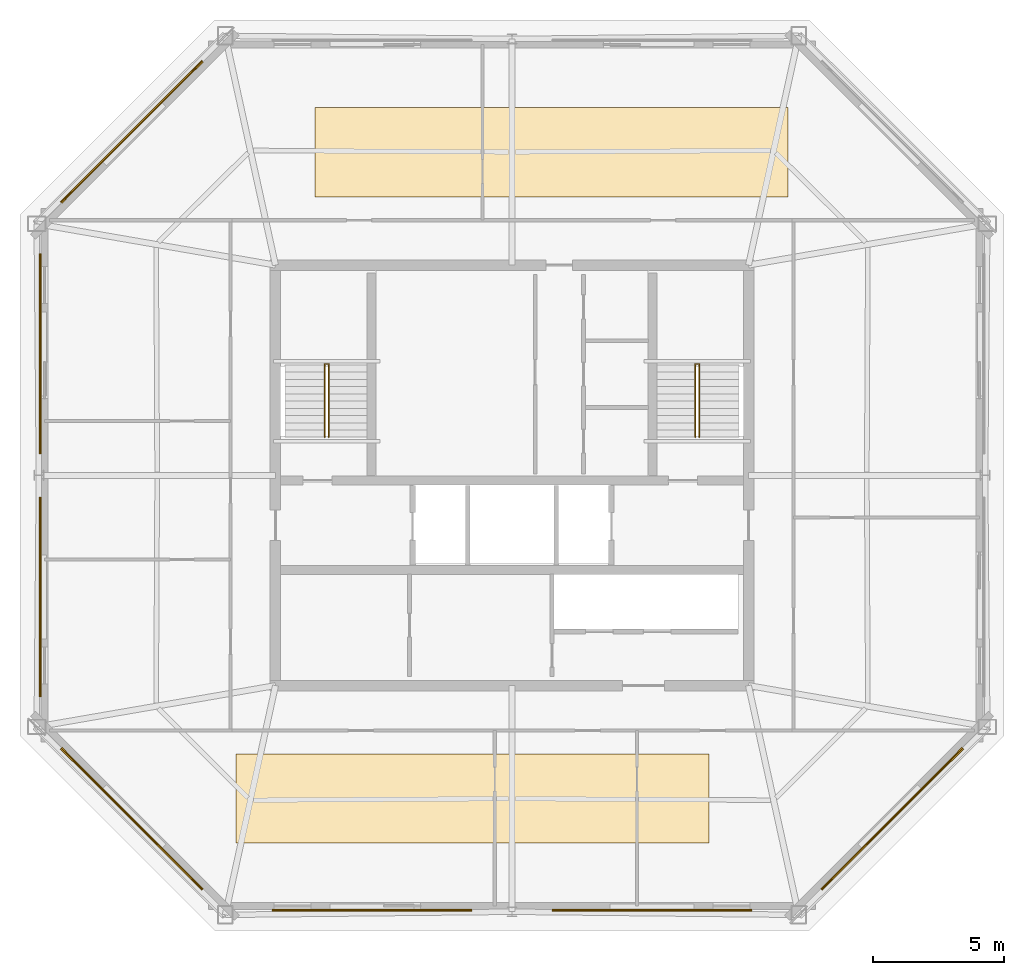
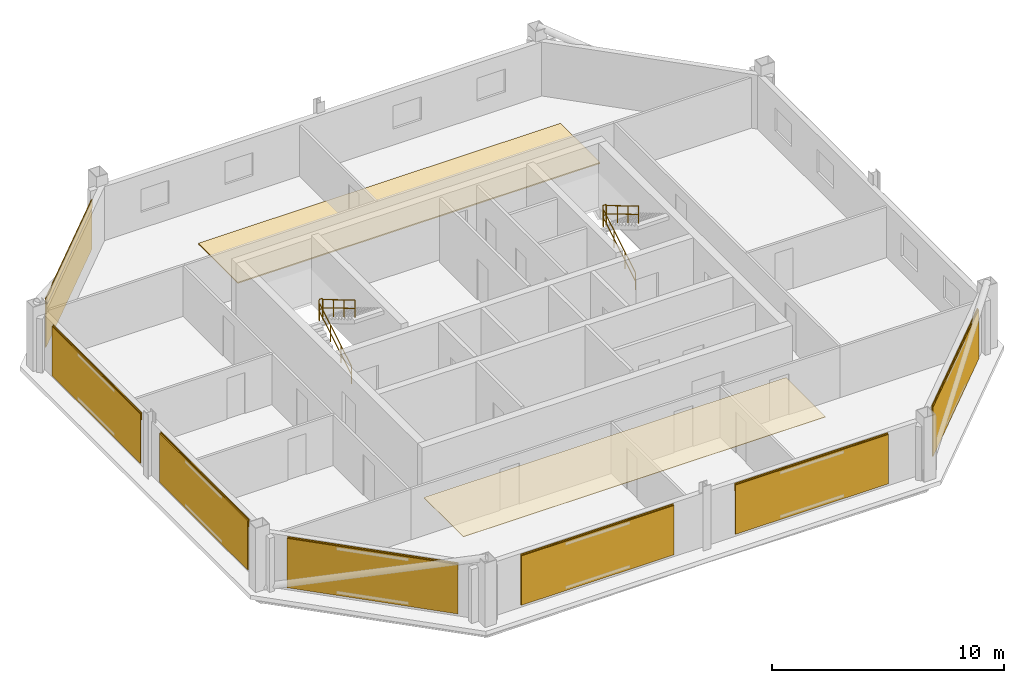
# One storey, part 5 of 6: 9 coverings, 7 shading devices, 6 railings.
"""IFC4 building model written with IfcOpenShell, lengths in metres."""

from ifc_helpers import new_model, si_unit, direction, frame, origin, origin_2d, place, context, subcontext, project, spatial, polyline, rectangle, circle, outline, extrude, material, layer, layer_set, type_object, element, save


model = new_model("IFC4")

# Units and contexts
model_context = context("Model", 3, precision=1e-05, world=origin(), true_north=direction((0.0, 1.0)))
body_context = subcontext(model_context, "Body", "Model", "MODEL_VIEW")
ifc_project = project(units=[si_unit("LENGTHUNIT", "METRE"), si_unit("AREAUNIT", "SQUARE_METRE"), si_unit("VOLUMEUNIT", "CUBIC_METRE"), si_unit("PLANEANGLEUNIT", "RADIAN"), si_unit("MASSUNIT", "GRAM", prefix="KILO")], contexts=[model_context])

# Site, building, storey
site_placement = place(None, origin())
site = spatial("IfcSite", under=ifc_project, at=site_placement, CompositionType="ELEMENT")
building_placement = place(site_placement, origin())
building = spatial("IfcBuilding", under=site, at=building_placement, Name="Caelvoria Tower", CompositionType="ELEMENT")
storey_placement = place(building_placement, frame((0.0, 0.0, 264.60009765625)))
storey = spatial("IfcBuildingStorey", under=building, at=storey_placement, Name="L70", CompositionType="ELEMENT", Elevation=264.60009765625)

# Coverings
ifc_material_1 = material(Name="Acoustic Mineral Fibre Tile", Category="gypsum")
ifc_layer_1 = layer(ifc_material_1, 0.02490234375, Name="Acoustic Mineral Fibre Tile")
ifc_layer_set_1 = layer_set([ifc_layer_1], Name="Mineral-Fibre Acoustic Suspended Ceiling 25 - Acoustic Mineral Fibre Tile")
covering_type_1 = type_object("IfcCoveringType", Name="Mineral-Fibre Acoustic Suspended Ceiling 25", PredefinedType="CEILING", material=ifc_layer_set_1)
covering_1_placement = place(storey_placement, frame((0.0, 0.0, 2.64990234375)))
element("IfcCovering", 1, at=covering_1_placement, inside=storey, type_object=covering_type_1, Name="Suspended Acoustic Ceiling L70", PredefinedType="CEILING", context=body_context, shape_type="SweptSolid", body=[
    extrude(outline(polyline([(35.5, 18.0), (53.5, 18.0), (53.5, 21.39990234375), (35.5, 21.39990234375), (35.5, 18.0)])), origin(), (0.0, 0.0, 1.0), 0.02490234375),
])
ifc_material_2 = material(Name="Perforated Architectural Bronze Cladding Screen", Category="bronze")
ifc_layer_2 = layer(ifc_material_2, 0.0400390625, Name="Perforated Architectural Bronze Cladding Screen")
ifc_layer_set_2 = layer_set([ifc_layer_2], Name="Perforated Bronze Louvre Cladding Band 40 - Perforated Architectural Bronze Cladding Screen")
covering_type_2 = type_object("IfcCoveringType", Name="Perforated Bronze Louvre Cladding Band 40", PredefinedType="CLADDING", material=ifc_layer_set_2)
for number, where, z_axis, x_axis, name in (
    (2, (40.677734375, 15.46826171875, 2.411865234375), (0.0, 0.0, 1.0), (1.0, 0.0, 0.0), "Perforated Bronze Screen Band L70-E0-00"),
    (3, (51.322265625, 15.46826171875, 2.411865234375), (0.0, 0.0, 1.0), (1.0, 0.0, 0.0), "Perforated Bronze Screen Band L70-E0-01"),
    (4, (60.451171875, 18.9443359375, 2.411865234375), (0.0, 0.0, 1.0), (0.707106781187, 0.707106781187, 0.0), "Perforated Bronze Screen Band L70-E1-00"),
    (5, (31.548828125, 45.0556640625, 2.411865234375), (0.0, 0.0, 1.0), (-0.707106781187, -0.707106781187, 0.0), "Perforated Bronze Screen Band L70-E5-00"),
    (6, (28.07275390625, 36.62451171875, 2.411865234375), (0.0, 0.0, 1.0), (0.0, -1.0, 0.0), "Perforated Bronze Screen Band L70-E6-00"),
    (7, (28.07275390625, 27.37548828125, 2.411865234375), (0.0, 0.0, 1.0), (0.0, -1.0, 0.0), "Perforated Bronze Screen Band L70-E6-01"),
    (8, (31.548828125, 18.9443359375, 2.411865234375), (0.0, 0.0, 1.0), (0.707106781187, -0.707106781187, 0.0), "Perforated Bronze Screen Band L70-E7-00"),
):
    element("IfcCovering", number, at=place(storey_placement, frame(where, z_axis=z_axis, x_axis=x_axis)), inside=storey, type_object=covering_type_2, Name=name, PredefinedType="CLADDING", context=body_context, shape_type="SweptSolid", body=[
        extrude(rectangle(XDim=7.60009765625, YDim=0.0400390625, at=origin_2d()), origin(), (0.0, 0.0, 1.0), 0.39990234375),
    ])

# Shading devices
ifc_material_3 = material(Name="Perforated Architectural Bronze Alloy Panel", Category="bronze")
ifc_layer_3 = layer(ifc_material_3, 0.044921875, Name="Perforated Architectural Bronze Alloy Panel")
ifc_layer_set_3 = layer_set([ifc_layer_3], Name="Perforated Bronze Solar Screen Panel SCREEN - Perforated Architectural Bronze Alloy Panel")
shading_device_type = type_object("IfcShadingDeviceType", Name="Perforated Bronze Solar Screen Panel SCREEN", PredefinedType="USERDEFINED", material=ifc_layer_set_3)
for number, where, z_axis, x_axis, name in (
    (9, (40.677734375, 15.42529296875, 0.15966796875), (0.0, 0.0, 1.0), (1.0, 0.0, 0.0), "Perforated Bronze Solar Screen L70-E0-00"),
    (10, (51.322265625, 15.42529296875, 0.15966796875), (0.0, 0.0, 1.0), (1.0, 0.0, 0.0), "Perforated Bronze Solar Screen L70-E0-01"),
    (11, (60.4814453125, 18.913818359375, 0.15966796875), (0.0, 0.0, 1.0), (0.707106781187, 0.707106781187, 0.0), "Perforated Bronze Solar Screen L70-E1-00"),
    (12, (31.5185546875, 45.086181640625, 0.15966796875), (0.0, 0.0, 1.0), (-0.707106781187, -0.707106781187, 0.0), "Perforated Bronze Solar Screen L70-E5-00"),
    (13, (28.02978515625, 36.62451171875, 0.15966796875), (0.0, 0.0, 1.0), (0.0, -1.0, 0.0), "Perforated Bronze Solar Screen L70-E6-00"),
    (14, (28.02978515625, 27.37548828125, 0.15966796875), (0.0, 0.0, 1.0), (0.0, -1.0, 0.0), "Perforated Bronze Solar Screen L70-E6-01"),
    (15, (31.5185546875, 18.913818359375, 0.15966796875), (0.0, 0.0, 1.0), (0.707106781187, -0.707106781187, 0.0), "Perforated Bronze Solar Screen L70-E7-00"),
):
    element("IfcShadingDevice", number, at=place(storey_placement, frame(where, z_axis=z_axis, x_axis=x_axis)), inside=storey, type_object=shading_device_type, Name=name, ObjectType="SCREEN", PredefinedType="USERDEFINED", context=body_context, shape_type="SweptSolid", body=[
        extrude(rectangle(XDim=7.60009765625, YDim=0.044921875, at=origin_2d()), origin(), (0.0, 0.0, 1.0), 2.592041015625),
    ])

# Covering
ifc_material_4 = material(Name="Calcium-Sulphate Raised Floor Tile", Category="gypsum")
ifc_layer_4 = layer(ifc_material_4, 0.06005859375, Name="Calcium-Sulphate Raised Floor Tile")
ifc_layer_set_4 = layer_set([ifc_layer_4], Name="Raised Access Office Floor System 120 - Calcium-Sulphate Raised Floor Tile")
covering_type_3 = type_object("IfcCoveringType", Name="Raised Access Office Floor System 120", PredefinedType="FLOORING", material=ifc_layer_set_4)
covering_2_placement = place(storey_placement, origin())
element("IfcCovering", 16, at=covering_2_placement, inside=storey, type_object=covering_type_3, Name="Raised Access Flooring L70", PredefinedType="FLOORING", context=body_context, shape_type="SweptSolid", body=[
    extrude(outline(polyline([(38.5, 42.60009765625), (56.5, 42.60009765625), (56.5, 46.0), (38.5, 46.0), (38.5, 42.60009765625)])), origin(), (0.0, 0.0, 1.0), 0.059814453125),
])

# Railings
ifc_material_5 = material(Name="Brushed Stainless Steel Tube", Category="steel")
railing_type_1 = type_object("IfcRailingType", Name="Stair Tubular Stainless Handrail 920", PredefinedType="HANDRAIL", material=ifc_material_5)
railing_1_placement = place(storey_placement, frame((38.8701171875, 33.449951171875, 0.16357421875)))
element("IfcRailing", 17, at=railing_1_placement, inside=storey, type_object=railing_type_1, Name="ST-01 Flight 1 Handrail L70", PredefinedType="HANDRAIL", context=body_context, shape_type="SweptSolid", body=[
    extrude(circle(Radius=0.02392578125, at=origin_2d()), frame((0.0, 0.0, 0.89599609375), z_axis=(0.0, 0.859385484447, 0.511328259656), x_axis=(-1.0, 0.0, 0.0)), (0.0, 0.0, 1.0), 3.199951171875),
    extrude(circle(Radius=0.02392578125, at=origin_2d()), frame((0.0, 0.0, 0.4599609375), z_axis=(0.0, 0.859385484447, 0.511328259656), x_axis=(-1.0, 0.0, 0.0)), (0.0, 0.0, 1.0), 3.199951171875),
    extrude(circle(Radius=0.02099609375, at=origin_2d()), origin(), (0.0, 0.0, 1.0), 0.871826171875),
    extrude(circle(Radius=0.02099609375, at=origin_2d()), frame((0.0, 0.916748046875, 0.54541015625)), (0.0, 0.0, 1.0), 0.871826171875),
    extrude(circle(Radius=0.02099609375, at=origin_2d()), frame((0.0, 1.833251953125, 1.0908203125)), (0.0, 0.0, 1.0), 0.871826171875),
    extrude(circle(Radius=0.02099609375, at=origin_2d()), frame((0.0, 2.75, 1.63623046875)), (0.0, 0.0, 1.0), 0.871826171875),
])
railing_2_placement = place(storey_placement, frame((39.030029296875, 36.199951171875, 1.963623046875)))
element("IfcRailing", 18, at=railing_2_placement, inside=storey, type_object=railing_type_1, Name="ST-01 Flight 2 Handrail L70", PredefinedType="HANDRAIL", context=body_context, shape_type="SweptSolid", body=[
    extrude(circle(Radius=0.02392578125, at=origin_2d()), frame((0.0, 0.0, 0.89599609375), z_axis=(0.0, -0.859385484447, 0.511328259656), x_axis=(1.0, 0.0, 0.0)), (0.0, 0.0, 1.0), 3.199951171875),
    extrude(circle(Radius=0.02392578125, at=origin_2d()), frame((0.0, 0.0, 0.4599609375), z_axis=(0.0, -0.859385484447, 0.511328259656), x_axis=(1.0, 0.0, 0.0)), (0.0, 0.0, 1.0), 3.199951171875),
    extrude(circle(Radius=0.02099609375, at=origin_2d()), origin(), (0.0, 0.0, 1.0), 0.871826171875),
    extrude(circle(Radius=0.02099609375, at=origin_2d()), frame((0.0, -0.916748046875, 0.54541015625)), (0.0, 0.0, 1.0), 0.871826171875),
    extrude(circle(Radius=0.02099609375, at=origin_2d()), frame((0.0, -1.833251953125, 1.0908203125)), (0.0, 0.0, 1.0), 0.871826171875),
    extrude(circle(Radius=0.02099609375, at=origin_2d()), frame((0.0, -2.75, 1.63623046875)), (0.0, 0.0, 1.0), 0.871826171875),
])
railing_3_placement = place(storey_placement, frame((52.969970703125, 33.449951171875, 0.16357421875)))
element("IfcRailing", 19, at=railing_3_placement, inside=storey, type_object=railing_type_1, Name="ST-02 Flight 1 Handrail L70", PredefinedType="HANDRAIL", context=body_context, shape_type="SweptSolid", body=[
    extrude(circle(Radius=0.02392578125, at=origin_2d()), frame((0.0, 0.0, 0.89599609375), z_axis=(0.0, 0.859385484447, 0.511328259656), x_axis=(-1.0, 0.0, 0.0)), (0.0, 0.0, 1.0), 3.199951171875),
    extrude(circle(Radius=0.02392578125, at=origin_2d()), frame((0.0, 0.0, 0.4599609375), z_axis=(0.0, 0.859385484447, 0.511328259656), x_axis=(-1.0, 0.0, 0.0)), (0.0, 0.0, 1.0), 3.199951171875),
    extrude(circle(Radius=0.02099609375, at=origin_2d()), origin(), (0.0, 0.0, 1.0), 0.871826171875),
    extrude(circle(Radius=0.02099609375, at=origin_2d()), frame((0.0, 0.916748046875, 0.54541015625)), (0.0, 0.0, 1.0), 0.871826171875),
    extrude(circle(Radius=0.02099609375, at=origin_2d()), frame((0.0, 1.833251953125, 1.0908203125)), (0.0, 0.0, 1.0), 0.871826171875),
    extrude(circle(Radius=0.02099609375, at=origin_2d()), frame((0.0, 2.75, 1.63623046875)), (0.0, 0.0, 1.0), 0.871826171875),
])
railing_4_placement = place(storey_placement, frame((53.1298828125, 36.199951171875, 1.963623046875)))
element("IfcRailing", 20, at=railing_4_placement, inside=storey, type_object=railing_type_1, Name="ST-02 Flight 2 Handrail L70", PredefinedType="HANDRAIL", context=body_context, shape_type="SweptSolid", body=[
    extrude(circle(Radius=0.02392578125, at=origin_2d()), frame((0.0, 0.0, 0.89599609375), z_axis=(0.0, -0.859385484447, 0.511328259656), x_axis=(1.0, 0.0, 0.0)), (0.0, 0.0, 1.0), 3.199951171875),
    extrude(circle(Radius=0.02392578125, at=origin_2d()), frame((0.0, 0.0, 0.4599609375), z_axis=(0.0, -0.859385484447, 0.511328259656), x_axis=(1.0, 0.0, 0.0)), (0.0, 0.0, 1.0), 3.199951171875),
    extrude(circle(Radius=0.02099609375, at=origin_2d()), origin(), (0.0, 0.0, 1.0), 0.871826171875),
    extrude(circle(Radius=0.02099609375, at=origin_2d()), frame((0.0, -0.916748046875, 0.54541015625)), (0.0, 0.0, 1.0), 0.871826171875),
    extrude(circle(Radius=0.02099609375, at=origin_2d()), frame((0.0, -1.833251953125, 1.0908203125)), (0.0, 0.0, 1.0), 0.871826171875),
    extrude(circle(Radius=0.02099609375, at=origin_2d()), frame((0.0, -2.75, 1.63623046875)), (0.0, 0.0, 1.0), 0.871826171875),
])
ifc_material_6 = material(Name="Brushed Stainless Steel Guardrail", Category="steel")
railing_type_2 = type_object("IfcRailingType", Name="Stair Well and Ramp Guardrail 1120", PredefinedType="GUARDRAIL", material=ifc_material_6)
for number, where, name in (
    (21, (38.8701171875, 36.239990234375, 1.7998046875), "ST-01 Half-Landing Well Guard L70"),
    (22, (52.969970703125, 36.239990234375, 1.7998046875), "ST-02 Half-Landing Well Guard L70"),
):
    element("IfcRailing", number, at=place(storey_placement, frame(where)), inside=storey, type_object=railing_type_2, Name=name, PredefinedType="GUARDRAIL", context=body_context, shape_type="SweptSolid", body=[
        extrude(circle(Radius=0.02392578125, at=origin_2d()), frame((0.0, 0.0, 1.09619140625), z_axis=(1.0, 0.0, 0.0), x_axis=(0.0, 1.0, 0.0)), (0.0, 0.0, 1.0), 0.159912109375),
        extrude(circle(Radius=0.02392578125, at=origin_2d()), frame((0.0, 0.0, 0.56005859375), z_axis=(1.0, 0.0, 0.0), x_axis=(0.0, 1.0, 0.0)), (0.0, 0.0, 1.0), 0.159912109375),
        extrude(circle(Radius=0.02099609375, at=origin_2d()), origin(), (0.0, 0.0, 1.0), 1.072021484375),
        extrude(circle(Radius=0.02099609375, at=origin_2d()), frame((0.159912109375, 0.0, 0.0)), (0.0, 0.0, 1.0), 1.072021484375),
    ])

save(model, "model.ifc")
